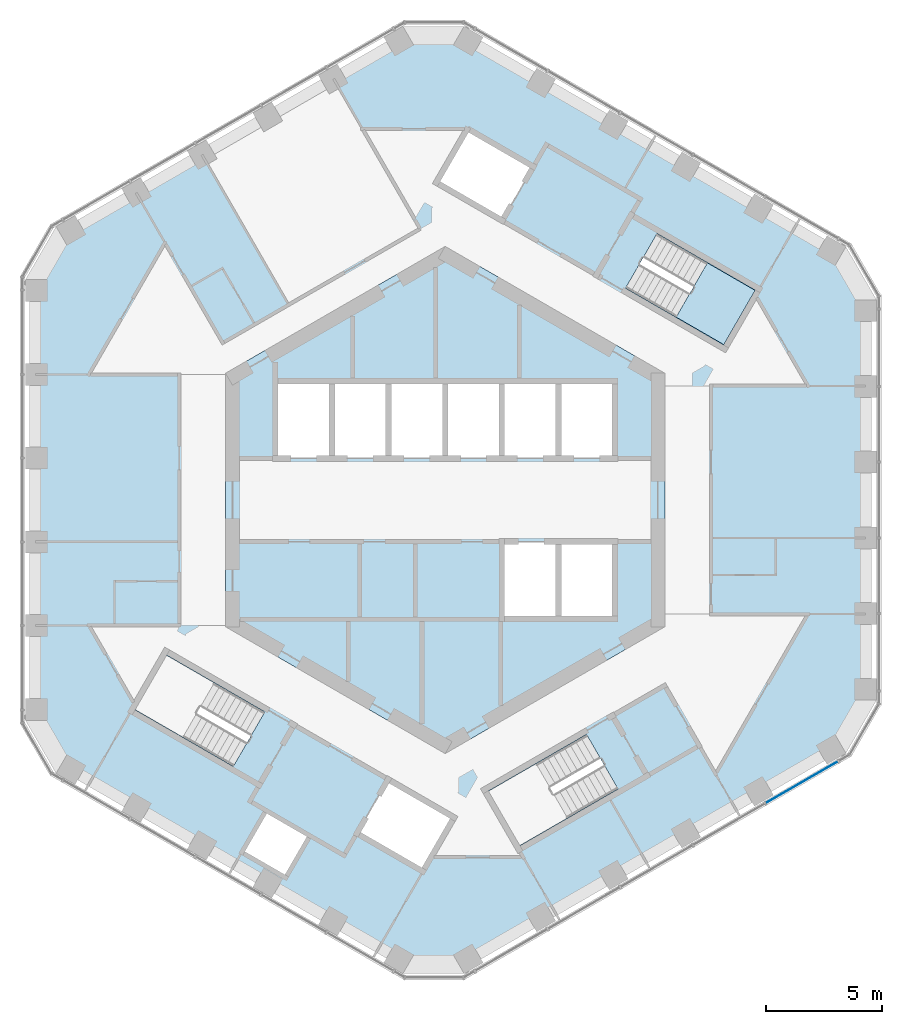
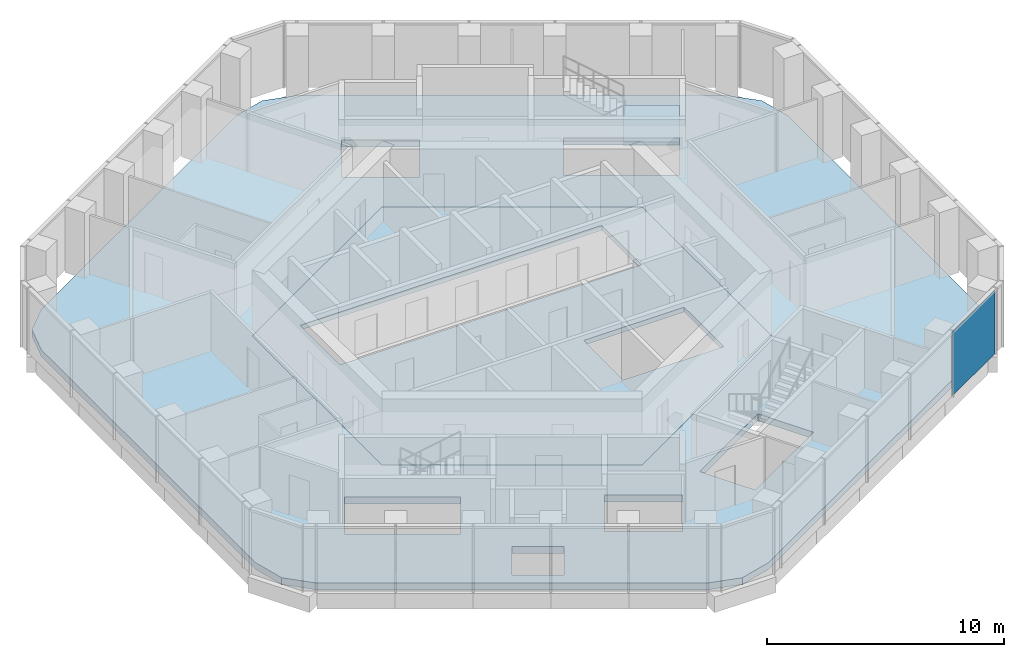
# One storey, part 10 of 18: 3 slabs, 1 plate, 2 elements without a shape of their own.
"""IFC4 building model written with IfcOpenShell, lengths in metres."""

from ifc_helpers import new_model, si_unit, direction, frame, origin, origin_2d, place, context, subcontext, project, spatial, polyline, rectangle, outline, extrude, material, layer, layer_set, type_object, element, aggregate, save


model = new_model("IFC4")

# Units and contexts
model_context = context("Model", 3, precision=1e-05, world=origin(), true_north=direction((0.0, 1.0)))
body_context = subcontext(model_context, "Body", "Model", "MODEL_VIEW")
ifc_project = project(units=[si_unit("LENGTHUNIT", "METRE"), si_unit("AREAUNIT", "SQUARE_METRE"), si_unit("VOLUMEUNIT", "CUBIC_METRE"), si_unit("PLANEANGLEUNIT", "RADIAN"), si_unit("MASSUNIT", "GRAM", prefix="KILO")], contexts=[model_context])

# Site, building, storey
site_placement = place(None, origin())
site = spatial("IfcSite", under=ifc_project, at=site_placement, CompositionType="ELEMENT")
building_placement = place(site_placement, origin())
building = spatial("IfcBuilding", under=site, at=building_placement, Name="Ayvan Gate Tower", CompositionType="ELEMENT")
storey_placement = place(building_placement, frame((0.0, 0.0, 179.89990234375)))
storey = spatial("IfcBuildingStorey", under=building, at=storey_placement, Name="L48", CompositionType="ELEMENT", Elevation=179.89990234375)

# Slabs
ifc_material_1 = material(Name="Concrete C40/50", Category="concrete")
ifc_layer_1 = layer(ifc_material_1, 0.35009765625)
ifc_layer_set_1 = layer_set([ifc_layer_1], Name="Concrete C40/50")
slab_type_1 = type_object("IfcSlabType", Name="Post-tensioned flat slab 350", PredefinedType="FLOOR", material=ifc_layer_set_1)
slab_1_placement = place(storey_placement, frame((0.0, 0.0, -0.349853515625)))
element("IfcSlab", 1, at=slab_1_placement, inside=storey, type_object=slab_type_1, Name="SL-L48", PredefinedType="FLOOR", context=body_context, shape_type="SweptSolid", body=[
    extrude(outline(polyline([(-0.474853515625, -20.26171875), (-1.974853515625, -19.85986328125), (-16.211669921875, -11.64013671875), (-17.309814453125, -10.5419921875), (-17.711669921875, -9.0419921875), (-17.711669921875, 9.0419921875), (-17.309814453125, 10.5419921875), (-16.211669921875, 11.64013671875), (-1.974853515625, 19.85986328125), (-0.474853515625, 20.26171875), (1.025146484375, 19.85986328125), (16.6865234375, 10.81787109375), (17.78466796875, 9.7197265625), (18.1865234375, 8.2197265625), (18.1865234375, -8.2197265625), (17.78466796875, -9.7197265625), (16.6865234375, -10.81787109375), (1.025146484375, -19.85986328125), (-0.474853515625, -20.26171875)]), holes=[polyline([(13.404541015625, 9.0673828125), (9.1611328125, 11.517578125), (7.80615234375, 9.170654296875), (12.049560546875, 6.720458984375), (13.404541015625, 9.0673828125)]), polyline([(0.0, 10.9697265625), (-9.5, 5.48486328125), (-9.5, -5.48486328125), (0.0, -10.9697265625), (9.5, -5.48486328125), (9.5, 5.48486328125), (0.0, 10.9697265625)]), polyline([(3.228759765625, -14.9423828125), (7.472412109375, -12.492431640625), (6.117431640625, -10.1455078125), (1.873779296875, -12.595458984375), (3.228759765625, -14.9423828125)]), polyline([(0.964599609375, 16.07080078125), (-0.385498046875, 13.732421875), (2.472412109375, 12.08251953125), (3.822509765625, 14.420654296875), (0.964599609375, 16.07080078125)]), polyline([(0.385498046875, -13.732421875), (-2.472412109375, -12.08251953125), (-3.822509765625, -14.420654296875), (-0.964599609375, -16.07080078125), (-0.613037109375, -15.461669921875), (0.385498046875, -13.732421875)]), polyline([(-6.894775390625, -16.342041015625), (-5.8447265625, -14.5234375), (-7.75, -13.42333984375), (-8.800048828125, -15.241943359375), (-6.894775390625, -16.342041015625)]), polyline([(-7.80615234375, -9.170654296875), (-12.049560546875, -6.720458984375), (-13.404541015625, -9.0673828125), (-9.1611328125, -11.517578125), (-7.80615234375, -9.170654296875)])]), origin(), (0.0, 0.0, 1.0), 0.349853515625),
])
ifc_layer_2 = layer(ifc_material_1, 0.25)
ifc_layer_set_2 = layer_set([ifc_layer_2], Name="Concrete C40/50")
slab_type_2 = type_object("IfcSlabType", Name="SL-CORE-250", PredefinedType="FLOOR", material=ifc_layer_set_2)
slab_2_placement = place(storey_placement, frame((0.0, 0.0, -0.25)))
element("IfcSlab", 2, at=slab_2_placement, inside=storey, type_object=slab_type_2, Name="CS-L48", PredefinedType="FLOOR", context=body_context, shape_type="SweptSolid", body=[
    extrude(outline(polyline([(9.5, -5.48486328125), (0.0, -10.9697265625), (-9.5, -5.48486328125), (-9.5, 5.48486328125), (0.0, 10.9697265625), (9.5, 5.48486328125), (9.5, -5.48486328125)]), holes=[polyline([(-7.35009765625, 5.14990234375), (-7.35009765625, 1.800048828125), (7.35009765625, 1.800048828125), (7.35009765625, 5.14990234375), (-7.35009765625, 5.14990234375)]), polyline([(2.449951171875, -1.800048828125), (2.449951171875, -5.14990234375), (7.35009765625, -5.14990234375), (7.35009765625, -1.800048828125), (2.449951171875, -1.800048828125)])]), origin(), (0.0, 0.0, 1.0), 0.25),
])

# Stair, slab
stair_type = type_object("IfcStairType", Name="ST-EXIT", PredefinedType="HALF_TURN_STAIR", material=ifc_material_1)
stair_placement = place(storey_placement, origin())
stair = element("IfcStair", 3, at=stair_placement, inside=storey, type_object=stair_type, Name="L48 Exit Stair S1", PredefinedType="HALF_TURN_STAIR")
ifc_layer_3 = layer(ifc_material_1, 0.199951171875)
ifc_layer_set_3 = layer_set([ifc_layer_3], Name="Concrete C40/50")
slab_type_3 = type_object("IfcSlabType", Name="SL-LANDING-200", PredefinedType="LANDING", material=ifc_layer_set_3)
slab_3_placement = place(storey_placement, frame((0.0, 0.0, 1.5)))
slab_3 = element("IfcSlab", 4, at=slab_3_placement, type_object=slab_type_3, Name="STS1 landing 1", PredefinedType="LANDING", context=body_context, shape_type="SweptSolid", body=[
    extrude(outline(polyline([(9.988525390625, 7.91064453125), (12.049560546875, 6.720458984375), (13.404541015625, 9.0673828125), (11.343505859375, 10.257568359375), (9.988525390625, 7.91064453125)])), origin(), (0.0, 0.0, 1.0), 0.2001953125),
])
aggregate(stair, [slab_3])

# Curtain wall, plate
ifc_material_2 = material(Name="Bronze anodised aluminium", Category="aluminium")
ifc_layer_4 = layer(ifc_material_2, 0.199951171875)
ifc_layer_set_4 = layer_set([ifc_layer_4], Name="Bronze anodised aluminium")
curtain_wall_type = type_object("IfcCurtainWallType", Name="Stick curtain wall CW-2", PredefinedType="NOTDEFINED", material=ifc_layer_set_4)
curtain_wall_placement = place(storey_placement, origin())
curtain_wall = element("IfcCurtainWall", 5, at=curtain_wall_placement, inside=storey, type_object=curtain_wall_type, Name="Stick curtain wall CW-2 L48", PredefinedType="NOTDEFINED")
ifc_material_3 = material(Name="Clear low-iron laminated glass", Category="glass")
ifc_layer_5 = layer(ifc_material_3, 0.028076171875)
ifc_layer_set_5 = layer_set([ifc_layer_5], Name="Clear low-iron laminated glass")
plate_type = type_object("IfcPlateType", Name="Stick curtain wall CW-2 glass panel", PredefinedType="CURTAIN_PANEL", material=ifc_layer_set_5)
plate_placement = place(storey_placement, frame((15.445068359375, -12.198486328125, 0.0), z_axis=(0.0, 0.0, 1.0), x_axis=(0.866025403784, 0.5, 0.0)))
plate = element("IfcPlate", 6, at=plate_placement, type_object=plate_type, Name="CW-2 glass panel 5", PredefinedType="CURTAIN_PANEL", context=body_context, shape_type="SweptSolid", body=[
    extrude(rectangle(XDim=3.612548828125, YDim=0.028076171875, at=origin_2d()), origin(), (0.0, 0.0, 1.0), 3.280029296875),
])
aggregate(curtain_wall, [plate])

save(model, "model.ifc")
